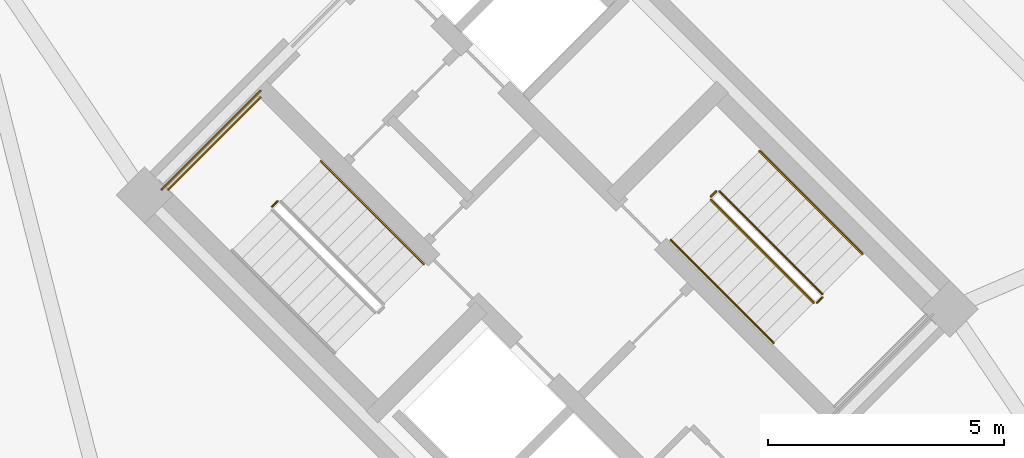
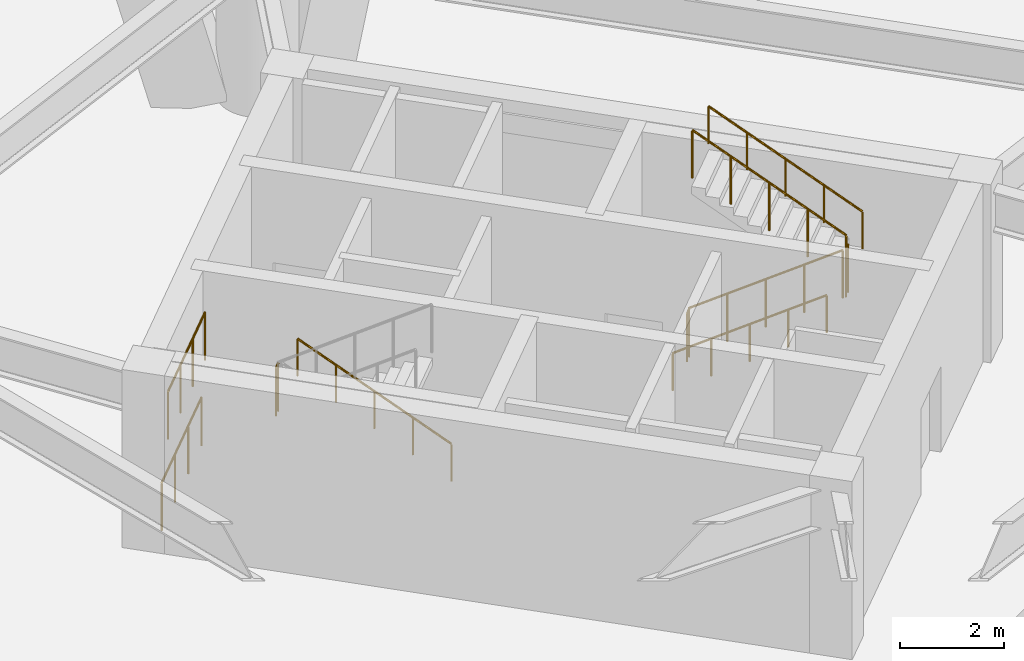
# One storey, part 18 of 20: 10 railings.
"""IFC4 building model written with IfcOpenShell, lengths in metres."""

from ifc_helpers import new_model, si_unit, direction, frame, origin, origin_2d, place, context, subcontext, project, spatial, circle, extrude, material, type_object, element, save


model = new_model("IFC4")

# Units and contexts
model_context = context("Model", 3, precision=1e-05, world=origin(), true_north=direction((0.0, 1.0)))
body_context = subcontext(model_context, "Body", "Model", "MODEL_VIEW")
ifc_project = project(units=[si_unit("LENGTHUNIT", "METRE"), si_unit("AREAUNIT", "SQUARE_METRE"), si_unit("VOLUMEUNIT", "CUBIC_METRE"), si_unit("PLANEANGLEUNIT", "RADIAN"), si_unit("MASSUNIT", "GRAM", prefix="KILO")], contexts=[model_context])

# Site, building, storey
site_placement = place(None, origin())
site = spatial("IfcSite", under=ifc_project, at=site_placement, CompositionType="ELEMENT")
building_placement = place(site_placement, origin())
building = spatial("IfcBuilding", under=site, at=building_placement, Name="Cununo Teusaquillo Station Towers", CompositionType="ELEMENT")
storey_placement = place(building_placement, frame((0.0, 0.0, 4.800048828125)))
storey = spatial("IfcBuildingStorey", under=building, at=storey_placement, Name="L01", CompositionType="ELEMENT", Elevation=4.800048828125)

# Railings
ifc_material_1 = material(Name="Steel EN 10025-2 S355J2", Category="steel")
railing_type_1 = type_object("IfcRailingType", Name="RL-INT-GUARD", PredefinedType="GUARDRAIL", material=ifc_material_1)
railing_1_placement = place(storey_placement, frame((51.78662109375, 25.57470703125, 2.099853515625)))
element("IfcRailing", 1, at=railing_1_placement, inside=storey, type_object=railing_type_1, Name="L01 ST-T2-1 stair guard 2", PredefinedType="GUARDRAIL", context=body_context, shape_type="SweptSolid", body=[
    extrude(circle(Radius=0.02392578125, at=origin_2d()), frame((0.0, 0.0, 1.1259765625), z_axis=(-0.707106781187, -0.707106781187, 0.0), x_axis=(0.707106781187, -0.707106781187, 0.0)), (0.0, 0.0, 1.0), 0.159912109375),
    extrude(circle(Radius=0.02099609375, at=origin_2d()), origin(), (0.0, 0.0, 1.0), 1.101806640625),
    extrude(circle(Radius=0.02099609375, at=origin_2d()), frame((-0.113037109375, -0.113037109375, 0.0)), (0.0, 0.0, 1.0), 1.101806640625),
])
railing_2_placement = place(storey_placement, frame((51.426025390625, 27.77392578125, 2.099853515625)))
element("IfcRailing", 2, at=railing_2_placement, inside=storey, type_object=railing_type_1, Name="L01 ST-T2-1 stair guard 3", PredefinedType="GUARDRAIL", context=body_context, shape_type="SweptSolid", body=[
    extrude(circle(Radius=0.02392578125, at=origin_2d()), frame((0.0, 0.0, 1.1259765625), z_axis=(-0.707106781187, -0.707106781187, 0.0), x_axis=(0.707106781187, -0.707106781187, 0.0)), (0.0, 0.0, 1.0), 2.760009765625),
    extrude(circle(Radius=0.02099609375, at=origin_2d()), origin(), (0.0, 0.0, 1.0), 1.101806640625),
    extrude(circle(Radius=0.02099609375, at=origin_2d()), frame((-0.650634765625, -0.650634765625, 0.0)), (0.0, 0.0, 1.0), 1.101806640625),
    extrude(circle(Radius=0.02099609375, at=origin_2d()), frame((-1.301025390625, -1.301025390625, 0.0)), (0.0, 0.0, 1.0), 1.101806640625),
    extrude(circle(Radius=0.02099609375, at=origin_2d()), frame((-1.95166015625, -1.95166015625, 0.0)), (0.0, 0.0, 1.0), 1.101806640625),
])
railing_3_placement = place(storey_placement, frame((51.426025390625, 27.915283203125, 0.0)))
element("IfcRailing", 3, at=railing_3_placement, inside=storey, type_object=railing_type_1, Name="L01 ST-T2-1 stair guard 6", PredefinedType="GUARDRAIL", context=body_context, shape_type="SweptSolid", body=[
    extrude(circle(Radius=0.02392578125, at=origin_2d()), frame((0.0, 0.0, 1.1259765625), z_axis=(-0.707106781187, -0.707106781187, 0.0), x_axis=(0.707106781187, -0.707106781187, 0.0)), (0.0, 0.0, 1.0), 2.9599609375),
    extrude(circle(Radius=0.02099609375, at=origin_2d()), origin(), (0.0, 0.0, 1.0), 1.101806640625),
    extrude(circle(Radius=0.02099609375, at=origin_2d()), frame((-0.69775390625, -0.69775390625, 0.0)), (0.0, 0.0, 1.0), 1.101806640625),
    extrude(circle(Radius=0.02099609375, at=origin_2d()), frame((-1.395263671875, -1.395263671875, 0.0)), (0.0, 0.0, 1.0), 1.101806640625),
    extrude(circle(Radius=0.02099609375, at=origin_2d()), frame((-2.093017578125, -2.093017578125, 0.0)), (0.0, 0.0, 1.0), 1.101806640625),
])
railing_4_placement = place(storey_placement, frame((60.96484375, 25.60302734375, 0.175048828125)))
element("IfcRailing", 4, at=railing_4_placement, inside=storey, type_object=railing_type_1, Name="L01 ST-T2-2 stair guard 1", PredefinedType="GUARDRAIL", context=body_context, shape_type="SweptSolid", body=[
    extrude(circle(Radius=0.02392578125, at=origin_2d()), frame((0.0, 0.0, 1.1259765625), z_axis=(0.599630491434, -0.599630491434, 0.529987308797), x_axis=(0.707106781187, 0.707106781187, 0.0)), (0.0, 0.0, 1.0), 3.6318359375),
    extrude(circle(Radius=0.02099609375, at=origin_2d()), origin(), (0.0, 0.0, 1.0), 1.101806640625),
    extrude(circle(Radius=0.02099609375, at=origin_2d()), frame((0.54443359375, -0.54443359375, 0.481201171875)), (0.0, 0.0, 1.0), 1.101806640625),
    extrude(circle(Radius=0.02099609375, at=origin_2d()), frame((1.0888671875, -1.0888671875, 0.96240234375)), (0.0, 0.0, 1.0), 1.101806640625),
    extrude(circle(Radius=0.02099609375, at=origin_2d()), frame((1.63330078125, -1.63330078125, 1.443603515625)), (0.0, 0.0, 1.0), 1.101806640625),
    extrude(circle(Radius=0.02099609375, at=origin_2d()), frame((2.177734375, -2.177734375, 1.9248046875)), (0.0, 0.0, 1.0), 1.101806640625),
])
railing_5_placement = place(storey_placement, frame((63.21337890625, 23.42529296875, 2.099853515625)))
element("IfcRailing", 5, at=railing_5_placement, inside=storey, type_object=railing_type_1, Name="L01 ST-T2-2 stair guard 2", PredefinedType="GUARDRAIL", context=body_context, shape_type="SweptSolid", body=[
    extrude(circle(Radius=0.02392578125, at=origin_2d()), frame((0.0, 0.0, 1.1259765625), z_axis=(0.707106781187, 0.707106781187, 0.0), x_axis=(-0.707106781187, 0.707106781187, 0.0)), (0.0, 0.0, 1.0), 0.159912109375),
    extrude(circle(Radius=0.02099609375, at=origin_2d()), origin(), (0.0, 0.0, 1.0), 1.101806640625),
    extrude(circle(Radius=0.02099609375, at=origin_2d()), frame((0.113037109375, 0.113037109375, 0.0)), (0.0, 0.0, 1.0), 1.101806640625),
])
railing_6_placement = place(storey_placement, frame((63.326416015625, 23.609130859375, 2.27490234375)))
element("IfcRailing", 6, at=railing_6_placement, inside=storey, type_object=railing_type_1, Name="L01 ST-T2-2 stair guard 4", PredefinedType="GUARDRAIL", context=body_context, shape_type="SweptSolid", body=[
    extrude(circle(Radius=0.02392578125, at=origin_2d()), frame((0.0, 0.0, 1.1259765625), z_axis=(-0.599609127936, 0.599609127936, 0.530035647284), x_axis=(-0.707106781187, -0.707106781187, 0.0)), (0.0, 0.0, 1.0), 3.6318359375),
    extrude(circle(Radius=0.02099609375, at=origin_2d()), origin(), (0.0, 0.0, 1.0), 1.101806640625),
    extrude(circle(Radius=0.02099609375, at=origin_2d()), frame((-0.54443359375, 0.54443359375, 0.481201171875)), (0.0, 0.0, 1.0), 1.101806640625),
    extrude(circle(Radius=0.02099609375, at=origin_2d()), frame((-1.0888671875, 1.0888671875, 0.96240234375)), (0.0, 0.0, 1.0), 1.101806640625),
    extrude(circle(Radius=0.02099609375, at=origin_2d()), frame((-1.63330078125, 1.63330078125, 1.44384765625)), (0.0, 0.0, 1.0), 1.101806640625),
    extrude(circle(Radius=0.02099609375, at=origin_2d()), frame((-2.177734375, 2.177734375, 1.925048828125)), (0.0, 0.0, 1.0), 1.101806640625),
])
railing_7_placement = place(storey_placement, frame((60.96484375, 25.673828125, 0.0)))
element("IfcRailing", 7, at=railing_7_placement, inside=storey, type_object=railing_type_1, Name="L01 ST-T2-2 stair guard 5", PredefinedType="GUARDRAIL", context=body_context, shape_type="SweptSolid", body=[
    extrude(circle(Radius=0.02392578125, at=origin_2d()), frame((0.0, 0.0, 1.1259765625), z_axis=(0.707106781187, 0.707106781187, 0.0), x_axis=(-0.707106781187, 0.707106781187, 0.0)), (0.0, 0.0, 1.0), 0.159912109375),
    extrude(circle(Radius=0.02099609375, at=origin_2d()), origin(), (0.0, 0.0, 1.0), 1.101806640625),
    extrude(circle(Radius=0.02099609375, at=origin_2d()), frame((0.113037109375, 0.113037109375, 0.0)), (0.0, 0.0, 1.0), 1.101806640625),
])
ifc_material_2 = material(Name="Steel EN 10025-2 S355J2", Category="steel")
railing_type_2 = type_object("IfcRailingType", Name="RL-INT-HRAIL", PredefinedType="HANDRAIL", material=ifc_material_2)
railing_8_placement = place(storey_placement, frame((54.8837890625, 24.245361328125, 0.175048828125)))
element("IfcRailing", 8, at=railing_8_placement, inside=storey, type_object=railing_type_2, Name="L01 ST-T2-1 stair handrail 1", PredefinedType="HANDRAIL", context=body_context, shape_type="SweptSolid", body=[
    extrude(circle(Radius=0.02392578125, at=origin_2d()), frame((0.0, 0.0, 0.8759765625), z_axis=(-0.599649371229, 0.599649371229, 0.529944584998), x_axis=(-0.707106781187, -0.707106781187, 0.0)), (0.0, 0.0, 1.0), 3.632080078125),
    extrude(circle(Radius=0.02099609375, at=origin_2d()), origin(), (0.0, 0.0, 1.0), 0.851806640625),
    extrude(circle(Radius=0.02099609375, at=origin_2d()), frame((-0.54443359375, 0.54443359375, 0.481201171875)), (0.0, 0.0, 1.0), 0.851806640625),
    extrude(circle(Radius=0.02099609375, at=origin_2d()), frame((-1.0888671875, 1.0888671875, 0.96240234375)), (0.0, 0.0, 1.0), 0.851806640625),
    extrude(circle(Radius=0.02099609375, at=origin_2d()), frame((-1.633544921875, 1.633544921875, 1.443603515625)), (0.0, 0.0, 1.0), 0.851806640625),
    extrude(circle(Radius=0.02099609375, at=origin_2d()), frame((-2.177978515625, 2.177978515625, 1.9248046875)), (0.0, 0.0, 1.0), 0.851806640625),
])
railing_9_placement = place(storey_placement, frame((60.1162109375, 24.754638671875, 0.175048828125)))
element("IfcRailing", 9, at=railing_9_placement, inside=storey, type_object=railing_type_2, Name="L01 ST-T2-2 stair handrail 1", PredefinedType="HANDRAIL", context=body_context, shape_type="SweptSolid", body=[
    extrude(circle(Radius=0.02392578125, at=origin_2d()), frame((0.0, 0.0, 0.8759765625), z_axis=(0.599649371229, -0.599649371229, 0.529944584998), x_axis=(0.707106781187, 0.707106781187, 0.0)), (0.0, 0.0, 1.0), 3.632080078125),
    extrude(circle(Radius=0.02099609375, at=origin_2d()), origin(), (0.0, 0.0, 1.0), 0.851806640625),
    extrude(circle(Radius=0.02099609375, at=origin_2d()), frame((0.54443359375, -0.54443359375, 0.481201171875)), (0.0, 0.0, 1.0), 0.851806640625),
    extrude(circle(Radius=0.02099609375, at=origin_2d()), frame((1.0888671875, -1.0888671875, 0.96240234375)), (0.0, 0.0, 1.0), 0.851806640625),
    extrude(circle(Radius=0.02099609375, at=origin_2d()), frame((1.633544921875, -1.633544921875, 1.443603515625)), (0.0, 0.0, 1.0), 0.851806640625),
    extrude(circle(Radius=0.02099609375, at=origin_2d()), frame((2.177978515625, -2.177978515625, 1.9248046875)), (0.0, 0.0, 1.0), 0.851806640625),
])
railing_10_placement = place(storey_placement, frame((64.175048828125, 24.45751953125, 2.27490234375)))
element("IfcRailing", 10, at=railing_10_placement, inside=storey, type_object=railing_type_2, Name="L01 ST-T2-2 stair handrail 2", PredefinedType="HANDRAIL", context=body_context, shape_type="SweptSolid", body=[
    extrude(circle(Radius=0.02392578125, at=origin_2d()), frame((0.0, 0.0, 0.8759765625), z_axis=(-0.599628010503, 0.599628010503, 0.529992922633), x_axis=(-0.707106781187, -0.707106781187, 0.0)), (0.0, 0.0, 1.0), 3.63232421875),
    extrude(circle(Radius=0.02099609375, at=origin_2d()), origin(), (0.0, 0.0, 1.0), 0.851806640625),
    extrude(circle(Radius=0.02099609375, at=origin_2d()), frame((-0.54443359375, 0.54443359375, 0.481201171875)), (0.0, 0.0, 1.0), 0.851806640625),
    extrude(circle(Radius=0.02099609375, at=origin_2d()), frame((-1.0888671875, 1.0888671875, 0.96240234375)), (0.0, 0.0, 1.0), 0.851806640625),
    extrude(circle(Radius=0.02099609375, at=origin_2d()), frame((-1.633544921875, 1.633544921875, 1.44384765625)), (0.0, 0.0, 1.0), 0.851806640625),
    extrude(circle(Radius=0.02099609375, at=origin_2d()), frame((-2.177978515625, 2.177978515625, 1.925048828125)), (0.0, 0.0, 1.0), 0.851806640625),
])

save(model, "model.ifc")
